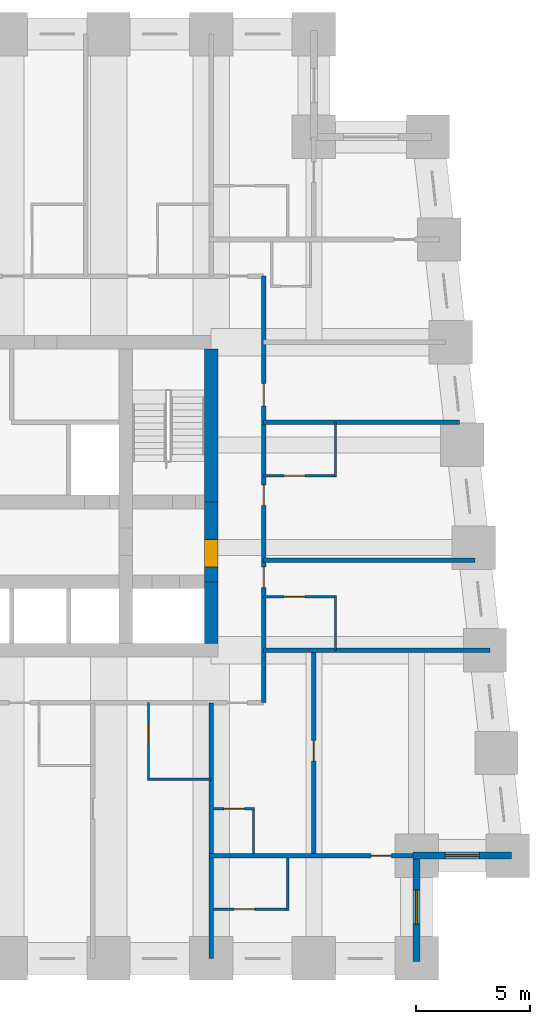
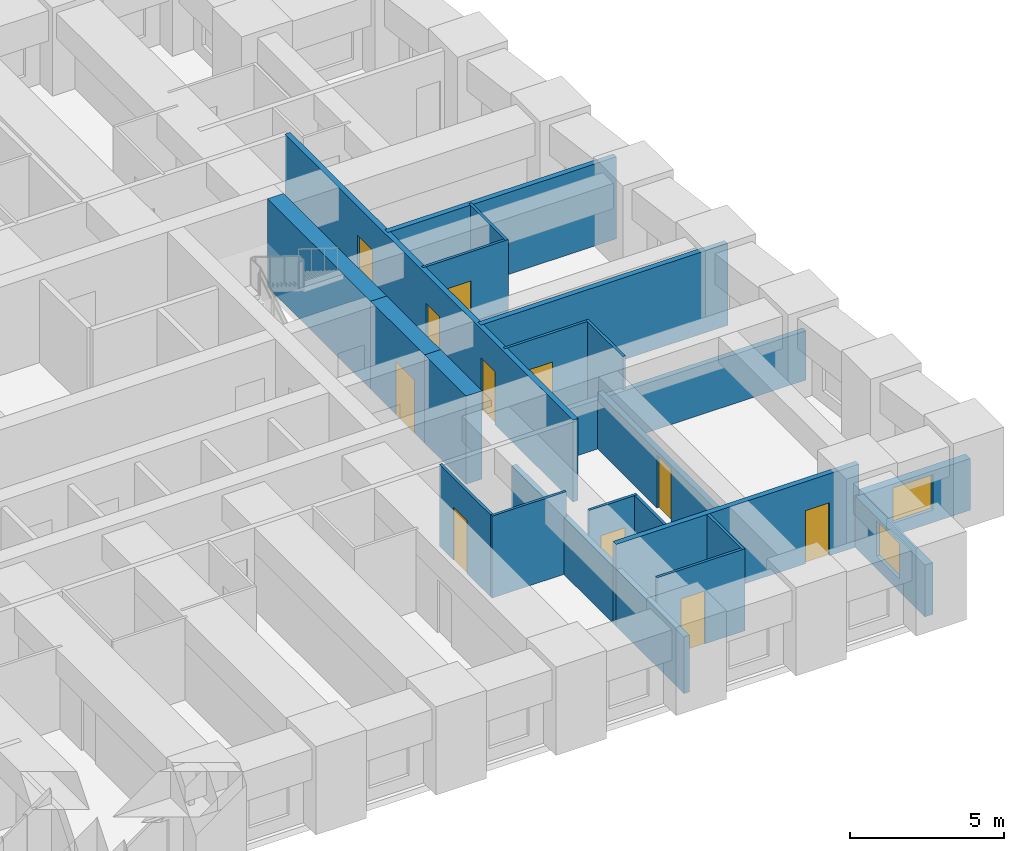
# One storey, part 5 of 8: 22 walls, 11 doors, 2 windows, 13 openings.
"""IFC4 building model written with IfcOpenShell, lengths in metres."""

import ifcopenshell
import ifcopenshell.guid

model = None  # the IFC model being written
_history = None  # IfcOwnerHistory: only IFC2X3 demands one
_inside = {}  # id of a spatial element -> (the spatial element, [elements in it])
_under = {}  # id of a project, library or spatial element -> (it, [spatial elements below it])
_declared = {}  # id of a project -> (the project, [libraries it declares])
_typed = {}  # id of a type object -> (the type object, [elements of that type])
_made_of = {}  # id of a material, layer set ... -> (it, [elements and type objects made of it])


def new_model(schema):
    """Start an empty IFC model of exactly this schema.

    Asked for "IFC4X3", IfcOpenShell would pick the latest addendum, in which some entities
    have other attributes; the version numbers below select the first issue.
    IFC2X3 requires an IfcOwnerHistory on every rooted entity: one is made here for all.
    """
    global model, _history
    if schema == "IFC4X3":
        model = ifcopenshell.file(schema_version=(4, 3, 0, 0))
    else:
        model = ifcopenshell.file(schema=schema)
    _inside.clear()
    _under.clear()
    _declared.clear()
    _typed.clear()
    _made_of.clear()
    _history = None
    if model.schema == "IFC2X3":
        org = make("IfcOrganization", Name="unknown")
        user = make(
            "IfcPersonAndOrganization",
            ThePerson=make("IfcPerson", FamilyName="unknown"),
            TheOrganization=org,
        )
        app = make(
            "IfcApplication",
            ApplicationDeveloper=org,
            Version="unknown",
            ApplicationFullName="unknown",
            ApplicationIdentifier="unknown",
        )
        _history = make(
            "IfcOwnerHistory",
            OwningUser=user,
            OwningApplication=app,
            ChangeAction="ADDED",
            CreationDate=0,
        )
    return model


def make(cls, **values):
    """One entity of the class cls with the attributes given. An attribute that is None is left unset."""
    return model.create_entity(
        cls, **{name: value for name, value in values.items() if value is not None}
    )


def rooted(cls, **values):
    """An entity with a GlobalId (a new one), such as an element, a storey or a relation."""
    return make(cls, GlobalId=ifcopenshell.guid.new(), OwnerHistory=_history, **values)


def si_unit(unit_type, name, prefix=None):
    """IfcSIUnit, for example si_unit("LENGTHUNIT", "METRE", prefix="MILLI")."""
    return make("IfcSIUnit", UnitType=unit_type, Prefix=prefix, Name=name)


def assignment(units):
    """IfcUnitAssignment: the units of a project."""
    return None if units is None else make("IfcUnitAssignment", Units=units)


def point(xyz):
    """IfcCartesianPoint."""
    return None if xyz is None else make("IfcCartesianPoint", Coordinates=xyz)


def direction(xyz):
    """IfcDirection."""
    return None if xyz is None else make("IfcDirection", DirectionRatios=xyz)


def frame(location, z_axis=None, x_axis=None):
    """IfcAxis2Placement3D, a coordinate frame: its origin and axes. An axis left out is left unset."""
    return make(
        "IfcAxis2Placement3D",
        Location=point(location),
        Axis=direction(z_axis),
        RefDirection=direction(x_axis),
    )


def frame_2d(location, x_axis=None):
    """IfcAxis2Placement2D, a coordinate frame in the plane: its origin and x axis."""
    return make(
        "IfcAxis2Placement2D", Location=point(location), RefDirection=direction(x_axis)
    )


def origin():
    """The frame at (0, 0, 0) with its axes left unset."""
    return frame((0.0, 0.0, 0.0))


def place(relative_to, where):
    """IfcLocalPlacement: puts the frame where relative to a parent placement (None: the world)."""
    return make(
        "IfcLocalPlacement", PlacementRelTo=relative_to, RelativePlacement=where
    )


def context(
    kind, dimensions, precision=None, world=None, true_north=None, identifier=None
):
    """IfcGeometricRepresentationContext, for example the 3D "Model" context."""
    return make(
        "IfcGeometricRepresentationContext",
        ContextIdentifier=identifier,
        ContextType=kind,
        CoordinateSpaceDimension=dimensions,
        Precision=precision,
        WorldCoordinateSystem=world,
        TrueNorth=true_north,
    )


def subcontext(parent, identifier, kind, view, scale=None):
    """IfcGeometricRepresentationSubContext, for example "Body" below "Model"."""
    return make(
        "IfcGeometricRepresentationSubContext",
        ContextIdentifier=identifier,
        ContextType=kind,
        ParentContext=parent,
        TargetScale=scale,
        TargetView=view,
    )


def project(units=None, contexts=None):
    """IfcProject with its units and contexts."""
    return rooted(
        "IfcProject",
        Name="project",
        RepresentationContexts=contexts,
        UnitsInContext=assignment(units),
    )


def spatial(cls, under=None, at=None, **own):
    """A site, building, storey or space (cls), placed at a placement, below another one or the project."""
    s = rooted(cls, ObjectPlacement=at, **own)
    if under is not None:
        _under.setdefault(under.id(), (under, []))[1].append(s)
    return s


def profile(cls, at=None, kind="AREA", **sizes):
    """A parametric profile (cls). Its sizes go by their IFC names, for example OverallWidth=200.0."""
    return make(cls, ProfileType=kind, Position=at, **sizes)


def rectangle(**sizes):
    """IfcRectangleProfileDef."""
    return profile("IfcRectangleProfileDef", **sizes)


def extrude(swept, where, along, depth):
    """IfcExtrudedAreaSolid: the profile swept, set in the frame where, extruded along a direction by depth."""
    return make(
        "IfcExtrudedAreaSolid",
        SweptArea=swept,
        Position=where,
        ExtrudedDirection=direction(along),
        Depth=depth,
    )


def shape(context_of_items, identifier, shape_type, items):
    """IfcShapeRepresentation: the items that make up one representation, for example the "Body"."""
    return make(
        "IfcShapeRepresentation",
        ContextOfItems=context_of_items,
        RepresentationIdentifier=identifier,
        RepresentationType=shape_type,
        Items=items,
    )


def material(Name=None, Category=None):
    """IfcMaterial."""
    return make("IfcMaterial", Name=Name, Category=Category)


def layer(
    of_material, thickness, ventilated=None, Name=None, Category=None, Priority=None
):
    """IfcMaterialLayer: one layer of a wall or slab, of a material (None: an air gap)."""
    return make(
        "IfcMaterialLayer",
        Material=of_material,
        LayerThickness=thickness,
        IsVentilated=ventilated,
        Name=Name,
        Category=Category,
        Priority=Priority,
    )


def layer_set(layers, Name=None):
    """IfcMaterialLayerSet."""
    return make("IfcMaterialLayerSet", MaterialLayers=layers, LayerSetName=Name)


def made_of(thing, what):
    """Note that an element or type object is made of a material, layer set ...; save() writes the relation."""
    if what is not None:
        _made_of.setdefault(what.id(), (what, []))[1].append(thing)
    return thing


def type_object(cls, material=None, **own):
    """A type object (cls), such as IfcWallType, which elements share."""
    return made_of(rooted(cls, **own), material)


def element(
    cls,
    number,
    at=None,
    inside=None,
    cuts=None,
    type_object=None,
    material=None,
    context=None,
    identifier="Body",
    shape_type=None,
    held_by="IfcProductDefinitionShape",
    body=None,
    shapes=None,
    **own,
):
    """One element of the class cls, such as IfcWall. Its Tag is "e" and its number.

    at: its placement. inside: the storey or other place that contains it. cuts: it is an
    opening in that element (IfcRelVoidsElement). A single representation is given by context,
    identifier, shape_type and body (its items); several are given by shapes. held_by: the class
    of the entity that holds the representations. save() writes the other relations.
    """
    e = rooted(cls, Tag="e%d" % number, ObjectPlacement=at, **own)
    if body is not None:
        shapes = [shape(context, identifier, shape_type, body)]
    if shapes is not None:
        e.Representation = make(held_by, Representations=shapes)
    if inside is not None:
        _inside.setdefault(inside.id(), (inside, []))[1].append(e)
    if cuts is not None:
        rooted(
            "IfcRelVoidsElement", RelatingBuildingElement=cuts, RelatedOpeningElement=e
        )
    if type_object is not None:
        _typed.setdefault(type_object.id(), (type_object, []))[1].append(e)
    return made_of(e, material)


def fill(opening, filler):
    """IfcRelFillsElement: the door or window that sits in an opening."""
    return rooted(
        "IfcRelFillsElement",
        RelatingOpeningElement=opening,
        RelatedBuildingElement=filler,
    )


def aggregate(whole, parts):
    """IfcRelAggregates: a whole, such as a stair, and the parts it consists of."""
    return rooted("IfcRelAggregates", RelatingObject=whole, RelatedObjects=parts)


def save(model, path):
    """Write the relations noted so far, then the file.

    IfcRelAggregates (storeys below a building ...), IfcRelContainedInSpatialStructure (elements
    in a storey), IfcRelDefinesByType, IfcRelAssociatesMaterial and IfcRelDeclares: one each for
    every whole, place, type object, material and project.
    """
    for whole, parts in _under.values():
        aggregate(whole, parts)
    for where, things in _inside.values():
        rooted(
            "IfcRelContainedInSpatialStructure",
            RelatedElements=things,
            RelatingStructure=where,
        )
    for kind, things in _typed.values():
        rooted("IfcRelDefinesByType", RelatedObjects=things, RelatingType=kind)
    for what, things in _made_of.values():
        rooted("IfcRelAssociatesMaterial", RelatedObjects=things, RelatingMaterial=what)
    for by, libraries in _declared.values():
        rooted("IfcRelDeclares", RelatingContext=by, RelatedDefinitions=libraries)
    model.write(path)


model = new_model("IFC4")

# Units and contexts
model_context = context("Model", 3, precision=1e-05, world=origin(), true_north=direction((0.0, 1.0)))
body_context = subcontext(model_context, "Body", "Model", "MODEL_VIEW")
ifc_project = project(units=[si_unit("LENGTHUNIT", "METRE"), si_unit("AREAUNIT", "SQUARE_METRE"), si_unit("VOLUMEUNIT", "CUBIC_METRE"), si_unit("PLANEANGLEUNIT", "RADIAN"), si_unit("MASSUNIT", "GRAM", prefix="KILO")], contexts=[model_context])

# Site, building, storey
site_placement = place(None, origin())
site = spatial("IfcSite", under=ifc_project, at=site_placement, CompositionType="ELEMENT")
building_placement = place(site_placement, origin())
building = spatial("IfcBuilding", under=site, at=building_placement, Name="Kilele Tower Hotel", CompositionType="ELEMENT")
storey_placement = place(building_placement, frame((0.0, 0.0, 50.699951171875)))
storey = spatial("IfcBuildingStorey", under=building, at=storey_placement, Name="L11", CompositionType="ELEMENT", Elevation=50.699951171875)

# Wall
ifc_material_1 = material(Name="Moisture-resistant board")
ifc_layer_1 = layer(ifc_material_1, 0.10009765625)
ifc_layer_set_1 = layer_set([ifc_layer_1], Name="Moisture-resistant board")
wall_type_1 = type_object("IfcWallType", Name="Bathroom partition 100", PredefinedType="PLUMBINGWALL", material=ifc_layer_set_1)
wall_1_placement = place(storey_placement, frame((33.199951171875, 7.85009765625, 0.0), z_axis=(0.0, 0.0, 1.0), x_axis=(1.0, 0.0, 0.0)))
element("IfcWall", 1, at=wall_1_placement, inside=storey, type_object=wall_type_1, Name="Bathroom partition 100 L11", PredefinedType="PLUMBINGWALL", context=body_context, shape_type="SweptSolid", body=[
    extrude(rectangle(XDim=2.800048828125, YDim=0.10009765625, at=frame_2d((1.39990234375, 0.0))), origin(), (0.0, 0.0, 1.0), 3.25),
])

# Wall, opening, door
wall_2_placement = place(storey_placement, frame((33.25, 11.199951171875, 0.0), z_axis=(0.0, 0.0, 1.0), x_axis=(0.0, -1.0, 0.0)))
wall_2 = element("IfcWall", 2, at=wall_2_placement, inside=storey, type_object=wall_type_1, Name="Bathroom partition 100 L11", PredefinedType="PLUMBINGWALL", context=body_context, shape_type="SweptSolid", body=[
    extrude(rectangle(XDim=3.39990234375, YDim=0.10009765625, at=frame_2d((1.699951171875, 0.0))), origin(), (0.0, 0.0, 1.0), 3.25),
])
opening_1_placement = place(wall_2_placement, frame((1.7998046875, 0.0, 0.0), z_axis=(0.0, 0.0, 1.0), x_axis=(-1.0, 0.0, 0.0)))
opening_1 = element("IfcOpeningElement", 3, at=opening_1_placement, cuts=wall_2, Name="Opening D2A", PredefinedType="OPENING", context=body_context, shape_type="SweptSolid", body=[
    extrude(rectangle(XDim=0.89990234375, YDim=2.10009765625, at=frame_2d((0.449951171875, 1.050048828125))), frame((0.0, 0.06005859375, 0.0), z_axis=(0.0, -1.0, 0.0), x_axis=(1.0, 0.0, 0.0)), (0.0, 0.0, 1.0), 0.1201171875),
])
ifc_material_2 = material(Name="Timber door leaf in hardwood frame", Category="wood")
door_type_1 = type_object("IfcDoorType", Name="Bathroom door 900", OperationType="SINGLE_SWING_LEFT", PredefinedType="DOOR", material=ifc_material_2)
door_1_placement = place(opening_1_placement, origin())
door_1 = element("IfcDoor", 4, at=door_1_placement, inside=storey, type_object=door_type_1, Name="Bathroom door 1105B", OperationType="SINGLE_SWING_RIGHT", OverallHeight=2.10009765625, OverallWidth=0.89990234375, PredefinedType="DOOR", context=body_context, shape_type="SweptSolid", body=[
    extrude(rectangle(XDim=0.89990234375, YDim=2.10009765625, at=frame_2d((0.449951171875, 1.050048828125))), frame((0.0, 0.02490234375, 0.0), z_axis=(0.0, -1.0, 0.0), x_axis=(1.0, 0.0, 0.0)), (0.0, 0.0, 1.0), 0.050048828125),
])
fill(opening_1, door_1)

# Wall
wall_3_placement = place(storey_placement, frame((41.449951171875, 13.5, 0.0), z_axis=(0.0, 0.0, 1.0), x_axis=(0.0, 1.0, 0.0)))
element("IfcWall", 5, at=wall_3_placement, inside=storey, type_object=wall_type_1, Name="Bathroom partition 100 L11", PredefinedType="PLUMBINGWALL", context=body_context, shape_type="SweptSolid", body=[
    extrude(rectangle(XDim=2.39990234375, YDim=0.10009765625, at=frame_2d((1.199951171875, 0.0))), origin(), (0.0, 0.0, 1.0), 3.25),
])

# Wall, opening, door
wall_4_placement = place(storey_placement, frame((38.300048828125, 15.85009765625, 0.0), z_axis=(0.0, 0.0, 1.0), x_axis=(1.0, 0.0, 0.0)))
wall_4 = element("IfcWall", 6, at=wall_4_placement, inside=storey, type_object=wall_type_1, Name="Bathroom partition 100 L11", PredefinedType="PLUMBINGWALL", context=body_context, shape_type="SweptSolid", body=[
    extrude(rectangle(XDim=3.199951171875, YDim=0.10009765625, at=frame_2d((1.60009765625, 0.0))), origin(), (0.0, 0.0, 1.0), 3.25),
])
opening_2_placement = place(wall_4_placement, frame((0.89990234375, 0.0, 0.0)))
opening_2 = element("IfcOpeningElement", 7, at=opening_2_placement, cuts=wall_4, Name="Opening D2A", PredefinedType="OPENING", context=body_context, shape_type="SweptSolid", body=[
    extrude(rectangle(XDim=0.89990234375, YDim=2.10009765625, at=frame_2d((0.449951171875, 1.050048828125))), frame((0.0, 0.06005859375, 0.0), z_axis=(0.0, -1.0, 0.0), x_axis=(1.0, 0.0, 0.0)), (0.0, 0.0, 1.0), 0.1201171875),
])
door_2_placement = place(opening_2_placement, origin())
door_2 = element("IfcDoor", 8, at=door_2_placement, inside=storey, type_object=door_type_1, Name="Bathroom door 1106B", OperationType="SINGLE_SWING_LEFT", OverallHeight=2.10009765625, OverallWidth=0.89990234375, PredefinedType="DOOR", context=body_context, shape_type="SweptSolid", body=[
    extrude(rectangle(XDim=0.89990234375, YDim=2.10009765625, at=frame_2d((0.449951171875, 1.050048828125))), frame((0.0, 0.02490234375, 0.0), z_axis=(0.0, -1.0, 0.0), x_axis=(1.0, 0.0, 0.0)), (0.0, 0.0, 1.0), 0.050048828125),
])
fill(opening_2, door_2)

# Wall
wall_5_placement = place(storey_placement, frame((41.449951171875, 21.10009765625, 0.0), z_axis=(0.0, 0.0, 1.0), x_axis=(0.0, 1.0, 0.0)))
element("IfcWall", 9, at=wall_5_placement, inside=storey, type_object=wall_type_1, Name="Bathroom partition 100 L11", PredefinedType="PLUMBINGWALL", context=body_context, shape_type="SweptSolid", body=[
    extrude(rectangle(XDim=2.39990234375, YDim=0.10009765625, at=frame_2d((1.199951171875, 0.0))), origin(), (0.0, 0.0, 1.0), 3.25),
])

# Wall, opening, door
wall_6_placement = place(storey_placement, frame((38.300048828125, 21.14990234375, 0.0), z_axis=(0.0, 0.0, 1.0), x_axis=(1.0, 0.0, 0.0)))
wall_6 = element("IfcWall", 10, at=wall_6_placement, inside=storey, type_object=wall_type_1, Name="Bathroom partition 100 L11", PredefinedType="PLUMBINGWALL", context=body_context, shape_type="SweptSolid", body=[
    extrude(rectangle(XDim=3.199951171875, YDim=0.10009765625, at=frame_2d((1.60009765625, 0.0))), origin(), (0.0, 0.0, 1.0), 3.25),
])
opening_3_placement = place(wall_6_placement, frame((1.7998046875, 0.0, 0.0), z_axis=(0.0, 0.0, 1.0), x_axis=(-1.0, 0.0, 0.0)))
opening_3 = element("IfcOpeningElement", 11, at=opening_3_placement, cuts=wall_6, Name="Opening D2A", PredefinedType="OPENING", context=body_context, shape_type="SweptSolid", body=[
    extrude(rectangle(XDim=0.89990234375, YDim=2.10009765625, at=frame_2d((0.449951171875, 1.050048828125))), frame((0.0, 0.06005859375, 0.0), z_axis=(0.0, -1.0, 0.0), x_axis=(1.0, 0.0, 0.0)), (0.0, 0.0, 1.0), 0.1201171875),
])
door_3_placement = place(opening_3_placement, origin())
door_3 = element("IfcDoor", 12, at=door_3_placement, inside=storey, type_object=door_type_1, Name="Bathroom door 1107B", OperationType="SINGLE_SWING_RIGHT", OverallHeight=2.10009765625, OverallWidth=0.89990234375, PredefinedType="DOOR", context=body_context, shape_type="SweptSolid", body=[
    extrude(rectangle(XDim=0.89990234375, YDim=2.10009765625, at=frame_2d((0.449951171875, 1.050048828125))), frame((0.0, 0.02490234375, 0.0), z_axis=(0.0, -1.0, 0.0), x_axis=(1.0, 0.0, 0.0)), (0.0, 0.0, 1.0), 0.050048828125),
])
fill(opening_3, door_3)

# Wall
wall_7_placement = place(storey_placement, frame((37.85009765625, 4.60009765625, 0.0), z_axis=(0.0, 0.0, 1.0), x_axis=(0.0, 1.0, 0.0)))
element("IfcWall", 13, at=wall_7_placement, inside=storey, type_object=wall_type_1, Name="Bathroom partition 100 L11", PredefinedType="PLUMBINGWALL", context=body_context, shape_type="SweptSolid", body=[
    extrude(rectangle(XDim=2.0, YDim=0.10009765625, at=frame_2d((1.0, 0.0))), origin(), (0.0, 0.0, 1.0), 3.25),
])

# Wall, opening, door
wall_8_placement = place(storey_placement, frame((36.10009765625, 6.550048828125, 0.0), z_axis=(0.0, 0.0, 1.0), x_axis=(1.0, 0.0, 0.0)))
wall_8 = element("IfcWall", 14, at=wall_8_placement, inside=storey, type_object=wall_type_1, Name="Bathroom partition 100 L11", PredefinedType="PLUMBINGWALL", context=body_context, shape_type="SweptSolid", body=[
    extrude(rectangle(XDim=1.7998046875, YDim=0.10009765625, at=frame_2d((0.89990234375, 0.0))), origin(), (0.0, 0.0, 1.0), 3.25),
])
opening_4_placement = place(wall_8_placement, frame((0.449951171875, 0.0, 0.0)))
opening_4 = element("IfcOpeningElement", 15, at=opening_4_placement, cuts=wall_8, Name="Opening D2A", PredefinedType="OPENING", context=body_context, shape_type="SweptSolid", body=[
    extrude(rectangle(XDim=0.89990234375, YDim=2.10009765625, at=frame_2d((0.449951171875, 1.050048828125))), frame((0.0, 0.06005859375, 0.0), z_axis=(0.0, -1.0, 0.0), x_axis=(1.0, 0.0, 0.0)), (0.0, 0.0, 1.0), 0.1201171875),
])
door_4_placement = place(opening_4_placement, origin())
door_4 = element("IfcDoor", 16, at=door_4_placement, inside=storey, type_object=door_type_1, Name="Bathroom door 1120P", OperationType="SINGLE_SWING_LEFT", OverallHeight=2.10009765625, OverallWidth=0.89990234375, PredefinedType="DOOR", context=body_context, shape_type="SweptSolid", body=[
    extrude(rectangle(XDim=0.89990234375, YDim=2.10009765625, at=frame_2d((0.449951171875, 1.050048828125))), frame((0.0, 0.02490234375, 0.0), z_axis=(0.0, -1.0, 0.0), x_axis=(1.0, 0.0, 0.0)), (0.0, 0.0, 1.0), 0.050048828125),
])
fill(opening_4, door_4)

# Wall
wall_9_placement = place(storey_placement, frame((39.35009765625, 4.39990234375, 0.0), z_axis=(0.0, 0.0, 1.0), x_axis=(0.0, -1.0, 0.0)))
element("IfcWall", 17, at=wall_9_placement, inside=storey, type_object=wall_type_1, Name="Bathroom partition 100 L11", PredefinedType="PLUMBINGWALL", context=body_context, shape_type="SweptSolid", body=[
    extrude(rectangle(XDim=2.2998046875, YDim=0.10009765625, at=frame_2d((1.14990234375, 0.0))), origin(), (0.0, 0.0, 1.0), 3.25),
])

# Wall, opening, door
wall_10_placement = place(storey_placement, frame((36.10009765625, 2.14990234375, 0.0), z_axis=(0.0, 0.0, 1.0), x_axis=(1.0, 0.0, 0.0)))
wall_10 = element("IfcWall", 18, at=wall_10_placement, inside=storey, type_object=wall_type_1, Name="Bathroom partition 100 L11", PredefinedType="PLUMBINGWALL", context=body_context, shape_type="SweptSolid", body=[
    extrude(rectangle(XDim=3.2998046875, YDim=0.10009765625, at=frame_2d((1.64990234375, 0.0))), origin(), (0.0, 0.0, 1.0), 3.25),
])
opening_5_placement = place(wall_10_placement, frame((1.7998046875, 0.0, 0.0), z_axis=(0.0, 0.0, 1.0), x_axis=(-1.0, 0.0, 0.0)))
opening_5 = element("IfcOpeningElement", 19, at=opening_5_placement, cuts=wall_10, Name="Opening D2A", PredefinedType="OPENING", context=body_context, shape_type="SweptSolid", body=[
    extrude(rectangle(XDim=0.89990234375, YDim=2.10009765625, at=frame_2d((0.449951171875, 1.050048828125))), frame((0.0, 0.06005859375, 0.0), z_axis=(0.0, -1.0, 0.0), x_axis=(1.0, 0.0, 0.0)), (0.0, 0.0, 1.0), 0.1201171875),
])
door_5_placement = place(opening_5_placement, origin())
door_5 = element("IfcDoor", 20, at=door_5_placement, inside=storey, type_object=door_type_1, Name="Bathroom door 1122B", OperationType="SINGLE_SWING_RIGHT", OverallHeight=2.10009765625, OverallWidth=0.89990234375, PredefinedType="DOOR", context=body_context, shape_type="SweptSolid", body=[
    extrude(rectangle(XDim=0.89990234375, YDim=2.10009765625, at=frame_2d((0.449951171875, 1.050048828125))), frame((0.0, 0.02490234375, 0.0), z_axis=(0.0, -1.0, 0.0), x_axis=(1.0, 0.0, 0.0)), (0.0, 0.0, 1.0), 0.050048828125),
])
fill(opening_5, door_5)

# Wall
ifc_material_3 = material(Name="Concrete C60/75", Category="concrete")
ifc_layer_2 = layer(ifc_material_3, 0.60009765625)
ifc_layer_set_2 = layer_set([ifc_layer_2], Name="Concrete C60/75")
wall_type_2 = type_object("IfcWallType", Name="Core wall 600 C60/75", PredefinedType="SHEAR", material=ifc_layer_set_2)
wall_11_placement = place(storey_placement, frame((36.0, 13.800048828125, 0.0), z_axis=(0.0, 0.0, 1.0), x_axis=(0.0, 1.0, 0.0)))
element("IfcWall", 21, at=wall_11_placement, inside=storey, type_object=wall_type_2, Name="Core wall E1 L11", PredefinedType="SHEAR", context=body_context, shape_type="SweptSolid", body=[
    extrude(rectangle(XDim=2.699951171875, YDim=0.60009765625, at=frame_2d((1.35009765625, 0.0))), origin(), (0.0, 0.0, 1.0), 3.5),
])

# Wall, opening, door
wall_12_placement = place(storey_placement, frame((36.0, 16.5, 0.0), z_axis=(0.0, 0.0, 1.0), x_axis=(0.0, 1.0, 0.0)))
wall_12 = element("IfcWall", 22, at=wall_12_placement, inside=storey, type_object=wall_type_2, Name="Core wall E2 L11", PredefinedType="SHEAR", context=body_context, shape_type="SweptSolid", body=[
    extrude(rectangle(XDim=3.5, YDim=0.60009765625, at=frame_2d((1.75, 0.0))), origin(), (0.0, 0.0, 1.0), 3.5),
])
opening_6_placement = place(wall_12_placement, frame((0.64990234375, 0.0, 0.0)))
opening_6 = element("IfcOpeningElement", 23, at=opening_6_placement, cuts=wall_12, Name="Opening D4", PredefinedType="OPENING", context=body_context, shape_type="SweptSolid", body=[
    extrude(rectangle(XDim=1.199951171875, YDim=2.10009765625, at=frame_2d((0.60009765625, 1.050048828125))), frame((0.0, 0.31005859375, 0.0), z_axis=(0.0, -1.0, 0.0), x_axis=(1.0, 0.0, 0.0)), (0.0, 0.0, 1.0), 0.6201171875),
])
ifc_material_4 = material(Name="Timber door leaf in hardwood frame", Category="wood")
door_type_2 = type_object("IfcDoorType", Name="Firefighting lobby door 1200", OperationType="SINGLE_SWING_LEFT", PredefinedType="DOOR", material=ifc_material_4)
door_6_placement = place(opening_6_placement, origin())
door_6 = element("IfcDoor", 24, at=door_6_placement, inside=storey, type_object=door_type_2, Name="Lobby door L11", OperationType="SINGLE_SWING_LEFT", OverallHeight=2.10009765625, OverallWidth=1.199951171875, PredefinedType="DOOR", context=body_context, shape_type="SweptSolid", body=[
    extrude(rectangle(XDim=1.199951171875, YDim=2.10009765625, at=frame_2d((0.60009765625, 1.050048828125))), frame((0.0, 0.2998046875, 0.0), z_axis=(0.0, -1.0, 0.0), x_axis=(1.0, 0.0, 0.0)), (0.0, 0.0, 1.0), 0.599609375),
])
fill(opening_6, door_6)

# Wall
wall_13_placement = place(storey_placement, frame((36.0, 20.0, 0.0), z_axis=(0.0, 0.0, 1.0), x_axis=(0.0, 1.0, 0.0)))
element("IfcWall", 25, at=wall_13_placement, inside=storey, type_object=wall_type_2, Name="Core wall E3 L11", PredefinedType="SHEAR", context=body_context, shape_type="SweptSolid", body=[
    extrude(rectangle(XDim=6.699951171875, YDim=0.60009765625, at=frame_2d((3.35009765625, 0.0))), origin(), (0.0, 0.0, 1.0), 3.5),
])

# Wall, openings, doors
ifc_material_5 = material(Name="Blockwork, plastered both sides", Category="masonry")
ifc_layer_3 = layer(ifc_material_5, 0.199951171875)
ifc_layer_set_3 = layer_set([ifc_layer_3], Name="Blockwork, plastered both sides")
wall_type_3 = type_object("IfcWallType", Name="Corridor wall 200", PredefinedType="PARTITIONING", material=ifc_layer_set_3)
wall_14_placement = place(storey_placement, frame((38.300048828125, 11.199951171875, 0.0), z_axis=(0.0, 0.0, 1.0), x_axis=(0.0, 1.0, 0.0)))
wall_14 = element("IfcWall", 26, at=wall_14_placement, inside=storey, type_object=wall_type_3, Name="Corridor wall 200 L11", PredefinedType="PARTITIONING", context=body_context, shape_type="SweptSolid", body=[
    extrude(rectangle(XDim=18.699951171875, YDim=0.199951171875, at=frame_2d((9.35009765625, 0.0))), origin(), (0.0, 0.0, 1.0), 3.25),
])
opening_7_placement = place(wall_14_placement, frame((5.949951171875, 0.0, 0.0), z_axis=(0.0, 0.0, 1.0), x_axis=(-1.0, 0.0, 0.0)))
opening_7 = element("IfcOpeningElement", 27, at=opening_7_placement, cuts=wall_14, Name="Opening D1", PredefinedType="OPENING", context=body_context, shape_type="SweptSolid", body=[
    extrude(rectangle(XDim=0.89990234375, YDim=2.10009765625, at=frame_2d((0.449951171875, 1.050048828125))), frame((0.0, 0.10986328125, 0.0), z_axis=(0.0, -1.0, 0.0), x_axis=(1.0, 0.0, 0.0)), (0.0, 0.0, 1.0), 0.219970703125),
])
opening_8_placement = place(wall_14_placement, frame((9.5498046875, 0.0, 0.0), z_axis=(0.0, 0.0, 1.0), x_axis=(-1.0, 0.0, 0.0)))
opening_8 = element("IfcOpeningElement", 28, at=opening_8_placement, cuts=wall_14, Name="Opening D1", PredefinedType="OPENING", context=body_context, shape_type="SweptSolid", body=[
    extrude(rectangle(XDim=0.89990234375, YDim=2.10009765625, at=frame_2d((0.449951171875, 1.050048828125))), frame((0.0, 0.10986328125, 0.0), z_axis=(0.0, -1.0, 0.0), x_axis=(1.0, 0.0, 0.0)), (0.0, 0.0, 1.0), 0.219970703125),
])
opening_9_placement = place(wall_14_placement, frame((14.0, 0.0, 0.0), z_axis=(0.0, 0.0, 1.0), x_axis=(-1.0, 0.0, 0.0)))
opening_9 = element("IfcOpeningElement", 29, at=opening_9_placement, cuts=wall_14, Name="Opening D8", PredefinedType="OPENING", context=body_context, shape_type="SweptSolid", body=[
    extrude(rectangle(XDim=1.0, YDim=2.10009765625, at=frame_2d((0.5, 1.050048828125))), frame((0.0, 0.10986328125, 0.0), z_axis=(0.0, -1.0, 0.0), x_axis=(1.0, 0.0, 0.0)), (0.0, 0.0, 1.0), 0.219970703125),
])
ifc_material_6 = material(Name="Timber door leaf in hardwood frame", Category="wood")
door_type_3 = type_object("IfcDoorType", Name="Door 1000", OperationType="SINGLE_SWING_LEFT", PredefinedType="DOOR", material=ifc_material_6)
door_7_placement = place(opening_9_placement, origin())
door_7 = element("IfcDoor", 30, at=door_7_placement, inside=storey, type_object=door_type_3, Name="Room entrance 1108", OperationType="SINGLE_SWING_RIGHT", OverallHeight=2.10009765625, OverallWidth=1.0, PredefinedType="DOOR", context=body_context, shape_type="SweptSolid", body=[
    extrude(rectangle(XDim=1.0, YDim=2.10009765625, at=frame_2d((0.5, 1.050048828125))), frame((0.0, 0.02490234375, 0.0), z_axis=(0.0, -1.0, 0.0), x_axis=(1.0, 0.0, 0.0)), (0.0, 0.0, 1.0), 0.050048828125),
])
fill(opening_9, door_7)
ifc_material_7 = material(Name="Timber door leaf in hardwood frame", Category="wood")
door_type_4 = type_object("IfcDoorType", Name="Guest room entrance door 900", OperationType="SINGLE_SWING_LEFT", PredefinedType="DOOR", material=ifc_material_7)
door_8_placement = place(opening_7_placement, origin())
door_8 = element("IfcDoor", 31, at=door_8_placement, inside=storey, type_object=door_type_4, Name="Room entrance 1106", OperationType="SINGLE_SWING_LEFT", OverallHeight=2.10009765625, OverallWidth=0.89990234375, PredefinedType="DOOR", context=body_context, shape_type="SweptSolid", body=[
    extrude(rectangle(XDim=0.89990234375, YDim=2.10009765625, at=frame_2d((0.449951171875, 1.050048828125))), frame((0.0, 0.02490234375, 0.0), z_axis=(0.0, -1.0, 0.0), x_axis=(1.0, 0.0, 0.0)), (0.0, 0.0, 1.0), 0.050048828125),
])
fill(opening_7, door_8)
door_9_placement = place(opening_8_placement, origin())
door_9 = element("IfcDoor", 32, at=door_9_placement, inside=storey, type_object=door_type_4, Name="Room entrance 1107", OperationType="SINGLE_SWING_LEFT", OverallHeight=2.10009765625, OverallWidth=0.89990234375, PredefinedType="DOOR", context=body_context, shape_type="SweptSolid", body=[
    extrude(rectangle(XDim=0.89990234375, YDim=2.10009765625, at=frame_2d((0.449951171875, 1.050048828125))), frame((0.0, 0.02490234375, 0.0), z_axis=(0.0, -1.0, 0.0), x_axis=(1.0, 0.0, 0.0)), (0.0, 0.0, 1.0), 0.050048828125),
])
fill(opening_8, door_9)

# Wall, opening, door
ifc_material_8 = material(Name="Blockwork, plastered both sides", Category="masonry")
ifc_layer_4 = layer(ifc_material_8, 0.199951171875)
ifc_layer_set_4 = layer_set([ifc_layer_4], Name="Blockwork, plastered both sides")
wall_type_4 = type_object("IfcWallType", Name="Partition wall 200", PredefinedType="PARTITIONING", material=ifc_layer_set_4)
wall_15_placement = place(storey_placement, frame((40.5, 4.60009765625, 0.0), z_axis=(0.0, 0.0, 1.0), x_axis=(0.0, 1.0, 0.0)))
wall_15 = element("IfcWall", 33, at=wall_15_placement, inside=storey, type_object=wall_type_4, Name="Partition wall 200 L11", PredefinedType="PARTITIONING", context=body_context, shape_type="SweptSolid", body=[
    extrude(rectangle(XDim=8.7998046875, YDim=0.199951171875, at=frame_2d((4.39990234375, 0.0))), origin(), (0.0, 0.0, 1.0), 2.25),
])
opening_10_placement = place(wall_15_placement, frame((4.050048828125, 0.0, 0.0)))
opening_10 = element("IfcOpeningElement", 34, at=opening_10_placement, cuts=wall_15, Name="Opening D3", PredefinedType="OPENING", context=body_context, shape_type="SweptSolid", body=[
    extrude(rectangle(XDim=0.89990234375, YDim=2.10009765625, at=frame_2d((0.449951171875, 1.050048828125))), frame((0.0, 0.10986328125, 0.0), z_axis=(0.0, -1.0, 0.0), x_axis=(1.0, 0.0, 0.0)), (0.0, 0.0, 1.0), 0.219970703125),
])
ifc_material_9 = material(Name="Timber door leaf in hardwood frame", Category="wood")
door_type_5 = type_object("IfcDoorType", Name="Suite internal door 900", OperationType="SINGLE_SWING_LEFT", PredefinedType="DOOR", material=ifc_material_9)
door_10_placement = place(opening_10_placement, origin())
door_10 = element("IfcDoor", 35, at=door_10_placement, inside=storey, type_object=door_type_5, Name="Suite door 1121", OperationType="SINGLE_SWING_RIGHT", OverallHeight=2.10009765625, OverallWidth=0.89990234375, PredefinedType="DOOR", context=body_context, shape_type="SweptSolid", body=[
    extrude(rectangle(XDim=0.89990234375, YDim=2.10009765625, at=frame_2d((0.449951171875, 1.050048828125))), frame((0.0, 0.02490234375, 0.0), z_axis=(0.0, -1.0, 0.0), x_axis=(1.0, 0.0, 0.0)), (0.0, 0.0, 1.0), 0.050048828125),
])
fill(opening_10, door_10)

# Walls
ifc_material_10 = material(Name="Blockwork, plastered both sides", Category="masonry")
ifc_layer_5 = layer(ifc_material_10, 0.199951171875)
ifc_layer_set_5 = layer_set([ifc_layer_5], Name="Blockwork, plastered both sides")
wall_type_5 = type_object("IfcWallType", Name="Party wall 200", PredefinedType="PARTITIONING", material=ifc_layer_set_5)
wall_16_placement = place(storey_placement, frame((38.300048828125, 17.449951171875, 0.0), z_axis=(0.0, 0.0, 1.0), x_axis=(1.0, 0.0, 0.0)))
element("IfcWall", 36, at=wall_16_placement, inside=storey, type_object=wall_type_5, Name="Party wall 200 L11", PredefinedType="PARTITIONING", context=body_context, shape_type="SweptSolid", body=[
    extrude(rectangle(XDim=9.26025390625, YDim=0.199951171875, at=frame_2d((4.630126953125, 0.0))), origin(), (0.0, 0.0, 1.0), 3.25),
])
wall_17_placement = place(storey_placement, frame((38.300048828125, 23.5, 0.0), z_axis=(0.0, 0.0, 1.0), x_axis=(1.0, 0.0, 0.0)))
element("IfcWall", 37, at=wall_17_placement, inside=storey, type_object=wall_type_5, Name="Party wall 200 L11", PredefinedType="PARTITIONING", context=body_context, shape_type="SweptSolid", body=[
    extrude(rectangle(XDim=8.587890625, YDim=0.199951171875, at=frame_2d((4.2939453125, 0.0))), origin(), (0.0, 0.0, 1.0), 3.25),
])
wall_18_placement = place(storey_placement, frame((38.300048828125, 13.5, 0.0), z_axis=(0.0, 0.0, 1.0), x_axis=(1.0, 0.0, 0.0)))
element("IfcWall", 38, at=wall_18_placement, inside=storey, type_object=wall_type_5, Name="Party wall 200 L11", PredefinedType="PARTITIONING", context=body_context, shape_type="SweptSolid", body=[
    extrude(rectangle(XDim=9.921142578125, YDim=0.199951171875, at=frame_2d((4.96044921875, 0.0))), origin(), (0.0, 0.0, 1.0), 1.949951171875),
])
wall_19_placement = place(storey_placement, frame((36.0, 11.199951171875, 0.0), z_axis=(0.0, 0.0, 1.0), x_axis=(0.0, -1.0, 0.0)))
element("IfcWall", 39, at=wall_19_placement, inside=storey, type_object=wall_type_5, Name="Party wall 200 L11", PredefinedType="PARTITIONING", context=body_context, shape_type="SweptSolid", body=[
    extrude(rectangle(XDim=11.199951171875, YDim=0.199951171875, at=frame_2d((5.60009765625, 0.0))), origin(), (0.0, 0.0, 1.0), 2.25),
])

# Wall, opening, door
wall_20_placement = place(storey_placement, frame((35.89990234375, 4.5, 0.0), z_axis=(0.0, 0.0, 1.0), x_axis=(1.0, 0.0, 0.0)))
wall_20 = element("IfcWall", 40, at=wall_20_placement, inside=storey, type_object=wall_type_5, Name="Party wall 200 L11", PredefinedType="PARTITIONING", context=body_context, shape_type="SweptSolid", body=[
    extrude(rectangle(XDim=9.10009765625, YDim=0.199951171875, at=frame_2d((4.550048828125, 0.0))), origin(), (0.0, 0.0, 1.0), 3.25),
])
opening_11_placement = place(wall_20_placement, frame((7.10009765625, 0.0, 0.0)))
opening_11 = element("IfcOpeningElement", 41, at=opening_11_placement, cuts=wall_20, Name="Opening D3", PredefinedType="OPENING", context=body_context, shape_type="SweptSolid", body=[
    extrude(rectangle(XDim=0.89990234375, YDim=2.10009765625, at=frame_2d((0.449951171875, 1.050048828125))), frame((0.0, 0.10986328125, 0.0), z_axis=(0.0, -1.0, 0.0), x_axis=(1.0, 0.0, 0.0)), (0.0, 0.0, 1.0), 0.219970703125),
])
door_11_placement = place(opening_11_placement, origin())
door_11 = element("IfcDoor", 42, at=door_11_placement, inside=storey, type_object=door_type_5, Name="Suite door 1122", OperationType="SINGLE_SWING_RIGHT", OverallHeight=2.10009765625, OverallWidth=0.89990234375, PredefinedType="DOOR", context=body_context, shape_type="SweptSolid", body=[
    extrude(rectangle(XDim=0.89990234375, YDim=2.10009765625, at=frame_2d((0.449951171875, 1.050048828125))), frame((0.0, 0.02490234375, 0.0), z_axis=(0.0, -1.0, 0.0), x_axis=(1.0, 0.0, 0.0)), (0.0, 0.0, 1.0), 0.050048828125),
])
fill(opening_11, door_11)

# Wall, opening, window
ifc_material_11 = material(Name="Concrete C40/50 precast", Category="concrete")
ifc_layer_6 = layer(ifc_material_11, 0.260009765625, Name="Precast backing", Category="LoadBearing")
ifc_material_12 = material(Name="Reconstituted stone finish", Category="masonry")
ifc_layer_7 = layer(ifc_material_12, 0.0400390625, Name="Face mix", Category="Finish")
ifc_layer_set_6 = layer_set([ifc_layer_6, ifc_layer_7], Name="Precast concrete C40/50, reconstituted stone finish")
wall_type_6 = type_object("IfcWallType", Name="Precast stone facade wall 300", PredefinedType="STANDARD", material=ifc_layer_set_6)
wall_21_placement = place(storey_placement, frame((45.0, -0.14990234375, 0.0), z_axis=(0.0, 0.0, 1.0), x_axis=(0.0, 1.0, 0.0)))
wall_21 = element("IfcWall", 43, at=wall_21_placement, inside=storey, type_object=wall_type_6, Name="Facade wall L11 edge 4", PredefinedType="STANDARD", context=body_context, shape_type="SweptSolid", body=[
    extrude(rectangle(XDim=4.7998046875, YDim=0.300048828125, at=frame_2d((2.39990234375, 0.0))), origin(), (0.0, 0.0, 1.0), 2.050048828125),
])
opening_12_placement = place(wall_21_placement, frame((1.64990234375, 0.0, 0.5)))
opening_12 = element("IfcOpeningElement", 44, at=opening_12_placement, cuts=wall_21, Name="Opening W1", PredefinedType="OPENING", context=body_context, shape_type="SweptSolid", body=[
    extrude(rectangle(XDim=1.5, YDim=1.39990234375, at=frame_2d((0.75, 0.699951171875))), frame((0.0, 0.159912109375, 0.0), z_axis=(0.0, -1.0, 0.0), x_axis=(1.0, 0.0, 0.0)), (0.0, 0.0, 1.0), 0.320068359375),
])
ifc_material_13 = material(Name="Aluminium frame, clear double glazing", Category="aluminium")
window_type = type_object("IfcWindowType", Name="Window W1 1500 x 1400", PartitioningType="SINGLE_PANEL", PredefinedType="WINDOW", material=ifc_material_13)
window_1_placement = place(opening_12_placement, origin())
window_1 = element("IfcWindow", 45, at=window_1_placement, inside=storey, type_object=window_type, Name="Window L11", OverallHeight=1.39990234375, OverallWidth=1.5, PartitioningType="SINGLE_PANEL", PredefinedType="WINDOW", context=body_context, shape_type="SweptSolid", body=[
    extrude(rectangle(XDim=1.5, YDim=1.39990234375, at=frame_2d((0.75, 0.699951171875))), frame((0.0, 0.030029296875, 0.0), z_axis=(0.0, -1.0, 0.0), x_axis=(1.0, 0.0, 0.0)), (0.0, 0.0, 1.0), 0.06005859375),
])
fill(opening_12, window_1)

wall_22_placement = place(storey_placement, frame((44.85009765625, 4.5, 0.0), z_axis=(0.0, 0.0, 1.0), x_axis=(1.0, 0.0, 0.0)))
wall_22 = element("IfcWall", 46, at=wall_22_placement, inside=storey, type_object=wall_type_6, Name="Facade wall L11 edge 5", PredefinedType="STANDARD", context=body_context, shape_type="SweptSolid", body=[
    extrude(rectangle(XDim=4.2998046875, YDim=0.300048828125, at=frame_2d((2.14990234375, 0.0))), origin(), (0.0, 0.0, 1.0), 2.050048828125),
])
opening_13_placement = place(wall_22_placement, frame((1.39990234375, 0.0, 0.5)))
opening_13 = element("IfcOpeningElement", 47, at=opening_13_placement, cuts=wall_22, Name="Opening W1", PredefinedType="OPENING", context=body_context, shape_type="SweptSolid", body=[
    extrude(rectangle(XDim=1.5, YDim=1.39990234375, at=frame_2d((0.75, 0.699951171875))), frame((0.0, 0.159912109375, 0.0), z_axis=(0.0, -1.0, 0.0), x_axis=(1.0, 0.0, 0.0)), (0.0, 0.0, 1.0), 0.320068359375),
])
window_2_placement = place(opening_13_placement, origin())
window_2 = element("IfcWindow", 48, at=window_2_placement, inside=storey, type_object=window_type, Name="Window L11", OverallHeight=1.39990234375, OverallWidth=1.5, PartitioningType="SINGLE_PANEL", PredefinedType="WINDOW", context=body_context, shape_type="SweptSolid", body=[
    extrude(rectangle(XDim=1.5, YDim=1.39990234375, at=frame_2d((0.75, 0.699951171875))), frame((0.0, 0.030029296875, 0.0), z_axis=(0.0, -1.0, 0.0), x_axis=(1.0, 0.0, 0.0)), (0.0, 0.0, 1.0), 0.06005859375),
])
fill(opening_13, window_2)

save(model, "model.ifc")
